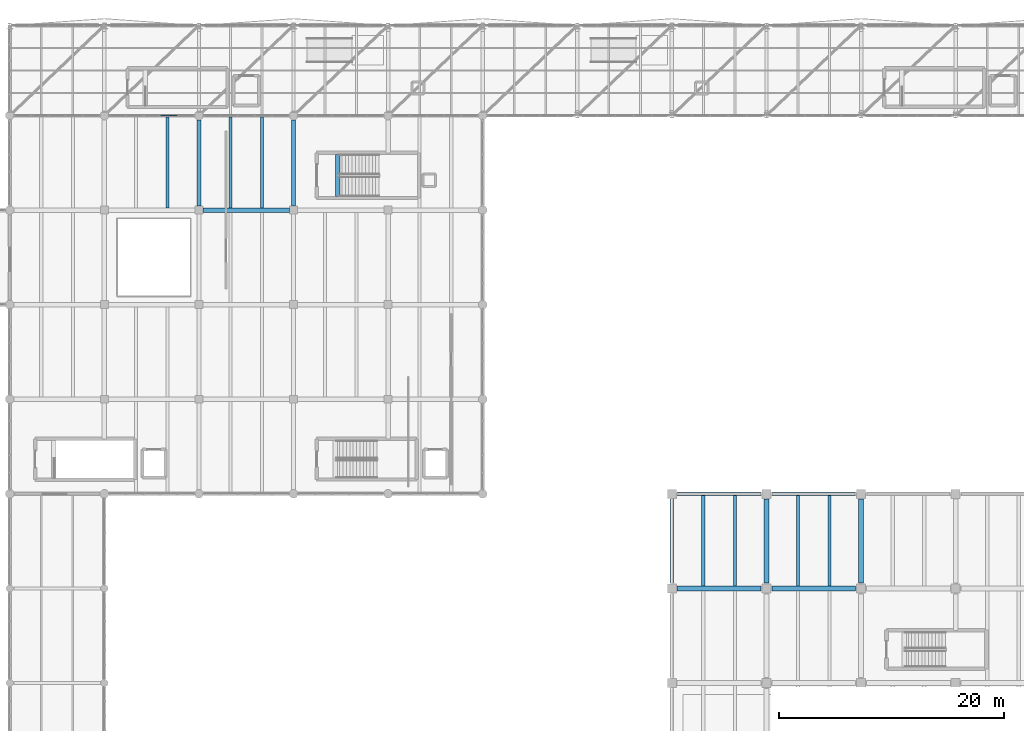
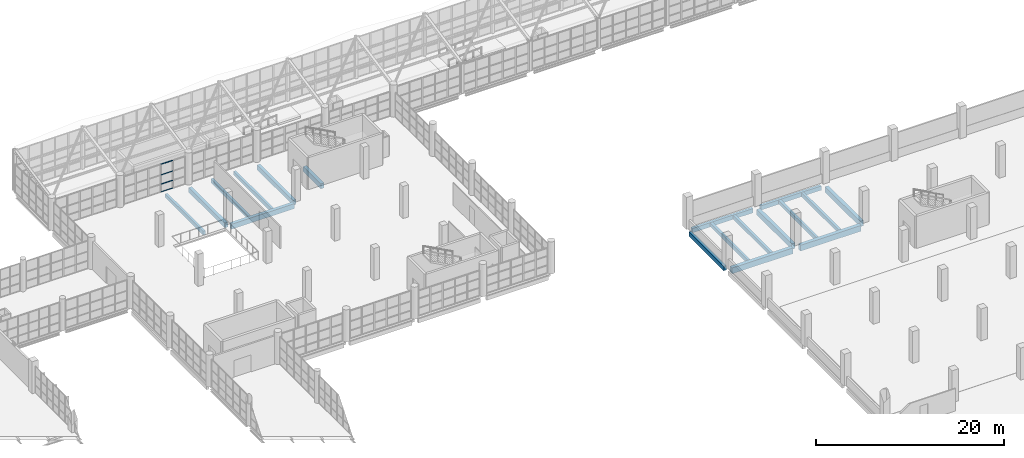
# One storey, part 92 of 177: 18 beams, 4 members, 1 element without a shape of its own.
"""IFC4 building model written with IfcOpenShell, lengths in metres."""

from ifc_helpers import new_model, si_unit, direction, frame, origin, origin_2d, place, context, subcontext, project, spatial, rectangle, hollow_rectangle, extrude, material, layer, layer_set, material_profile, profile_set, type_object, element, aggregate, save


model = new_model("IFC4")

# Units and contexts
model_context = context("Model", 3, precision=1e-05, world=origin(), true_north=direction((0.0, 1.0)))
body_context = subcontext(model_context, "Body", "Model", "MODEL_VIEW")
ifc_project = project(units=[si_unit("LENGTHUNIT", "METRE"), si_unit("AREAUNIT", "SQUARE_METRE"), si_unit("VOLUMEUNIT", "CUBIC_METRE"), si_unit("PLANEANGLEUNIT", "RADIAN"), si_unit("MASSUNIT", "GRAM", prefix="KILO"), si_unit("THERMODYNAMICTEMPERATUREUNIT", "KELVIN"), si_unit("POWERUNIT", "WATT")], contexts=[model_context])

# Site, building, storey
site_placement = place(None, origin())
site = spatial("IfcSite", under=ifc_project, at=site_placement, CompositionType="ELEMENT")
building_placement = place(site_placement, origin())
building = spatial("IfcBuilding", under=site, at=building_placement, Name="Mavoryth Pier Ferry Terminal", CompositionType="ELEMENT")
storey_placement = place(building_placement, frame((0.0, 0.0, 5.43994140625)))
storey = spatial("IfcBuildingStorey", under=building, at=storey_placement, Name="L01", CompositionType="ELEMENT", Elevation=5.43994140625)

# Beams
ifc_material_1 = material(Name="Concrete C35/45", Category="concrete")
ifc_material_profile_1 = material_profile(ifc_material_1, rectangle(XDim=0.3798828125, YDim=0.6201171875, at=origin_2d()), Name="RC 380x620", Category="concrete")
ifc_profile_set_1 = profile_set([ifc_material_profile_1], Name="Concrete C35/45 - RC 380x620")
beam_type_1 = type_object("IfcBeamType", Name="Girder-RC-380x620", PredefinedType="BEAM", material=ifc_profile_set_1)
for number, where, z_axis, x_axis, name in (
    (1, (67.199951171875, 97.949951171875, -0.58984375), (0.0, 1.0, 0.0), (-1.0, 0.0, 0.0), "Beam B01-BG06-0214"),
    (2, (75.60009765625, 97.949951171875, -0.58984375), (0.0, 1.0, 0.0), (-1.0, 0.0, 0.0), "Beam B01-BG06-0218"),
):
    element("IfcBeam", number, at=place(storey_placement, frame(where, z_axis=z_axis, x_axis=x_axis)), inside=storey, type_object=beam_type_1, Name=name, PredefinedType="BEAM", context=body_context, shape_type="SweptSolid", body=[
        extrude(rectangle(XDim=0.3798828125, YDim=0.6201171875, at=origin_2d()), origin(), (0.0, 0.0, 1.0), 7.66015625),
    ])
ifc_material_profile_2 = material_profile(ifc_material_1, rectangle(XDim=0.39990234375, YDim=0.64990234375, at=origin_2d()), Name="RC 400x650", Category="concrete")
ifc_profile_set_2 = profile_set([ifc_material_profile_2], Name="Concrete C35/45 - RC 400x650")
beam_type_2 = type_object("IfcBeamType", Name="Girder-RC-400x650", PredefinedType="BEAM", material=ifc_profile_set_2)
beam_1_placement = place(storey_placement, frame((67.550048828125, 97.60009765625, -0.60498046875), z_axis=(1.0, 0.0, 0.0), x_axis=(0.0, 1.0, 0.0)))
element("IfcBeam", 3, at=beam_1_placement, inside=storey, type_object=beam_type_2, Name="Beam B01-BG05-0196", PredefinedType="BEAM", context=body_context, shape_type="SweptSolid", body=[
    extrude(rectangle(XDim=0.39990234375, YDim=0.64990234375, at=origin_2d()), origin(), (0.0, 0.0, 1.0), 7.699951171875),
])
beam_2_placement = place(storey_placement, frame((79.52001953125, 98.800048828125, -0.324951171875), z_axis=(0.0, 1.0, 0.0), x_axis=(-1.0, 0.0, 0.0)))
element("IfcBeam", 4, at=beam_2_placement, inside=storey, type_object=beam_type_2, Name="Beam B01-BG05-1594", PredefinedType="BEAM", context=body_context, shape_type="SweptSolid", body=[
    extrude(rectangle(XDim=0.39990234375, YDim=0.64990234375, at=origin_2d()), origin(), (0.0, 0.0, 1.0), 3.75),
])
ifc_material_profile_3 = material_profile(ifc_material_1, rectangle(XDim=0.419921875, YDim=0.719970703125, at=origin_2d()), Name="RC 420x720", Category="concrete")
ifc_profile_set_3 = profile_set([ifc_material_profile_3], Name="Concrete C35/45 - RC 420x720")
beam_type_3 = type_object("IfcBeamType", Name="Girder-RC-420x720", PredefinedType="BEAM", material=ifc_profile_set_3)
for number, where, z_axis, x_axis, name in (
    (5, (117.60009765625, 64.47509765625, -0.679931640625), (0.0, 1.0, 0.0), (-1.0, 0.0, 0.0), "Beam B01-BG03-0383"),
    (6, (126.0, 64.47509765625, -0.679931640625), (0.0, 1.0, 0.0), (-1.0, 0.0, 0.0), "Beam B01-BG03-0390"),
):
    element("IfcBeam", number, at=place(storey_placement, frame(where, z_axis=z_axis, x_axis=x_axis)), inside=storey, type_object=beam_type_3, Name=name, PredefinedType="BEAM", context=body_context, shape_type="SweptSolid", body=[
        extrude(rectangle(XDim=0.419921875, YDim=0.719970703125, at=origin_2d()), origin(), (0.0, 0.0, 1.0), 7.449951171875),
    ])
ifc_material_profile_4 = material_profile(ifc_material_1, rectangle(XDim=0.449951171875, YDim=0.75, at=origin_2d()), Name="RC 450x750", Category="concrete")
ifc_profile_set_4 = profile_set([ifc_material_profile_4], Name="Concrete C35/45 - RC 450x750")
beam_type_4 = type_object("IfcBeamType", Name="Girder-RC-450x750", PredefinedType="BEAM", material=ifc_profile_set_4)
for number, where, z_axis, x_axis, name in (
    (7, (109.675048828125, 64.0, -0.69482421875), (1.0, 0.0, 0.0), (0.0, 1.0, 0.0), "Beam B01-BG02-0356"),
    (8, (118.074951171875, 64.0, -0.69482421875), (1.0, 0.0, 0.0), (0.0, 1.0, 0.0), "Beam B01-BG02-0357"),
):
    element("IfcBeam", number, at=place(storey_placement, frame(where, z_axis=z_axis, x_axis=x_axis)), inside=storey, type_object=beam_type_4, Name=name, PredefinedType="BEAM", context=body_context, shape_type="SweptSolid", body=[
        extrude(rectangle(XDim=0.449951171875, YDim=0.75, at=origin_2d()), origin(), (0.0, 0.0, 1.0), 7.449951171875),
    ])
ifc_material_profile_5 = material_profile(ifc_material_1, rectangle(XDim=0.280029296875, YDim=0.47998046875, at=origin_2d()), Name="RC 280x480", Category="concrete")
ifc_profile_set_5 = profile_set([ifc_material_profile_5], Name="Concrete C35/45 - RC 280x480")
beam_type_5 = type_object("IfcBeamType", Name="Joist-RC-280x480", PredefinedType="JOIST", material=ifc_profile_set_5)
for number, where, z_axis, x_axis, name in (
    (9, (64.39990234375, 97.800048828125, -0.52001953125), (0.0, 1.0, 0.0), (-1.0, 0.0, 0.0), "Beam B01-BJ02-0238"),
    (10, (70.0, 97.800048828125, -0.52001953125), (0.0, 1.0, 0.0), (-1.0, 0.0, 0.0), "Beam B01-BJ02-0245"),
    (11, (72.800048828125, 97.800048828125, -0.52001953125), (0.0, 1.0, 0.0), (-1.0, 0.0, 0.0), "Beam B01-BJ02-0246"),
):
    element("IfcBeam", number, at=place(storey_placement, frame(where, z_axis=z_axis, x_axis=x_axis)), inside=storey, type_object=beam_type_5, Name=name, PredefinedType="JOIST", context=body_context, shape_type="SweptSolid", body=[
        extrude(rectangle(XDim=0.280029296875, YDim=0.47998046875, at=origin_2d()), origin(), (0.0, 0.0, 1.0), 8.050048828125),
    ])
ifc_material_profile_6 = material_profile(ifc_material_1, rectangle(XDim=0.300048828125, YDim=0.5, at=origin_2d()), Name="RC 300x500", Category="concrete")
ifc_profile_set_6 = profile_set([ifc_material_profile_6], Name="Concrete C35/45 - RC 300x500")
beam_type_6 = type_object("IfcBeamType", Name="Joist-RC-300x500", PredefinedType="JOIST", material=ifc_profile_set_6)
for number, where, z_axis, x_axis, name in (
    (12, (112.0, 64.22509765625, -0.56982421875), (0.0, 1.0, 0.0), (-1.0, 0.0, 0.0), "Beam B01-BJ01-0438"),
    (13, (114.800048828125, 64.22509765625, -0.56982421875), (0.0, 1.0, 0.0), (-1.0, 0.0, 0.0), "Beam B01-BJ01-0439"),
    (14, (120.39990234375, 64.22509765625, -0.56982421875), (0.0, 1.0, 0.0), (-1.0, 0.0, 0.0), "Beam B01-BJ01-0450"),
    (15, (123.199951171875, 64.22509765625, -0.56982421875), (0.0, 1.0, 0.0), (-1.0, 0.0, 0.0), "Beam B01-BJ01-0451"),
):
    element("IfcBeam", number, at=place(storey_placement, frame(where, z_axis=z_axis, x_axis=x_axis)), inside=storey, type_object=beam_type_6, Name=name, PredefinedType="JOIST", context=body_context, shape_type="SweptSolid", body=[
        extrude(rectangle(XDim=0.300048828125, YDim=0.5, at=origin_2d()), origin(), (0.0, 0.0, 1.0), 8.014892578125),
    ])
ifc_material_profile_7 = material_profile(ifc_material_1, rectangle(XDim=0.320068359375, YDim=0.56005859375, at=origin_2d()), Name="RC 320x560", Category="concrete")
ifc_profile_set_7 = profile_set([ifc_material_profile_7], Name="Concrete C35/45 - RC 320x560")
beam_type_7 = type_object("IfcBeamType", Name="Spandrel-RC-320x560", PredefinedType="SPANDREL", material=ifc_profile_set_7)
for number, where, z_axis, x_axis, name in (
    (16, (109.675048828125, 72.39990234375, -0.599853515625), (1.0, 0.0, 0.0), (0.0, 1.0, 0.0), "Beam B01-SP01-0363"),
    (17, (118.074951171875, 72.39990234375, -0.599853515625), (1.0, 0.0, 0.0), (0.0, 1.0, 0.0), "Beam B01-SP01-0364"),
    (18, (109.199951171875, 64.47509765625, -0.599853515625), (0.0, 1.0, 0.0), (-1.0, 0.0, 0.0), "Beam B01-SP01-0376"),
):
    element("IfcBeam", number, at=place(storey_placement, frame(where, z_axis=z_axis, x_axis=x_axis)), inside=storey, type_object=beam_type_7, Name=name, PredefinedType="SPANDREL", context=body_context, shape_type="SweptSolid", body=[
        extrude(rectangle(XDim=0.320068359375, YDim=0.56005859375, at=origin_2d()), origin(), (0.0, 0.0, 1.0), 7.449951171875),
    ])

# Curtain wall, members
ifc_material_2 = material(Name="Anodised Aluminium and Solar-Control Low-E Glass", Category="aluminium")
ifc_layer = layer(ifc_material_2, 0.159912109375, Name="Anodised Aluminium and Solar-Control Low-E Glass", Category="aluminium")
ifc_layer_set = layer_set([ifc_layer], Name="Anodised Aluminium and Solar-Control Low-E Glass - CW-Arrivals-Mod1400")
curtain_wall_type = type_object("IfcCurtainWallType", Name="CW-Arrivals-Mod1400", PredefinedType="USERDEFINED", material=ifc_layer_set)
curtain_wall_placement = place(storey_placement, origin())
curtain_wall = element("IfcCurtainWall", 19, at=curtain_wall_placement, inside=storey, type_object=curtain_wall_type, Name="Curtain Wall CW-0122-052", ObjectType="UNITISED CURTAIN WALL", PredefinedType="USERDEFINED")
ifc_material_3 = material(Name="Anodised Aluminium EN AW-6063", Category="aluminium")
ifc_material_profile_8 = material_profile(ifc_material_3, hollow_rectangle(XDim=0.06005859375, YDim=0.125, WallThickness=0.00390625, InnerFilletRadius=0.00390625, OuterFilletRadius=0.008056640625, at=origin_2d()), Name="AL-TRAN 125x60x4", Category="aluminium")
ifc_profile_set_8 = profile_set([ifc_material_profile_8], Name="Anodised Aluminium EN AW-6063 - AL-TRAN 125x60x4")
member_type = type_object("IfcMemberType", Name="Transom-Alum-125x60", PredefinedType="USERDEFINED", material=ifc_profile_set_8)
member_1_placement = place(storey_placement, frame((65.256103515625, 106.0, 0.030029296875), z_axis=(-1.0, 0.0, 0.0), x_axis=(0.0, -1.0, 0.0)))
member_1 = element("IfcMember", 20, at=member_1_placement, type_object=member_type, Name="CW04 transom 2.1", ObjectType="TRANSOM", PredefinedType="USERDEFINED", context=body_context, shape_type="SweptSolid", body=[
    extrude(hollow_rectangle(XDim=0.06005859375, YDim=0.125, WallThickness=0.00390625, InnerFilletRadius=0.00390625, OuterFilletRadius=0.008056640625, at=origin_2d()), origin(), (0.0, 0.0, 1.0), 1.464111328125),
])
member_2_placement = place(storey_placement, frame((65.256103515625, 106.0, 1.050048828125), z_axis=(-1.0, 0.0, 0.0), x_axis=(0.0, -1.0, 0.0)))
member_2 = element("IfcMember", 21, at=member_2_placement, type_object=member_type, Name="CW04 transom 2.2", ObjectType="TRANSOM", PredefinedType="USERDEFINED", context=body_context, shape_type="SweptSolid", body=[
    extrude(hollow_rectangle(XDim=0.06005859375, YDim=0.125, WallThickness=0.00390625, InnerFilletRadius=0.00390625, OuterFilletRadius=0.008056640625, at=origin_2d()), origin(), (0.0, 0.0, 1.0), 1.464111328125),
])
member_3_placement = place(storey_placement, frame((65.256103515625, 106.0, 2.25), z_axis=(-1.0, 0.0, 0.0), x_axis=(0.0, -1.0, 0.0)))
member_3 = element("IfcMember", 22, at=member_3_placement, type_object=member_type, Name="CW04 transom 2.3", ObjectType="TRANSOM", PredefinedType="USERDEFINED", context=body_context, shape_type="SweptSolid", body=[
    extrude(hollow_rectangle(XDim=0.06005859375, YDim=0.125, WallThickness=0.00390625, InnerFilletRadius=0.00390625, OuterFilletRadius=0.008056640625, at=origin_2d()), origin(), (0.0, 0.0, 1.0), 1.464111328125),
])
member_4_placement = place(storey_placement, frame((65.256103515625, 106.0, 3.630126953125), z_axis=(-1.0, 0.0, 0.0), x_axis=(0.0, -1.0, 0.0)))
member_4 = element("IfcMember", 23, at=member_4_placement, type_object=member_type, Name="CW04 transom 2.4", ObjectType="TRANSOM", PredefinedType="USERDEFINED", context=body_context, shape_type="SweptSolid", body=[
    extrude(hollow_rectangle(XDim=0.06005859375, YDim=0.125, WallThickness=0.00390625, InnerFilletRadius=0.00390625, OuterFilletRadius=0.008056640625, at=origin_2d()), origin(), (0.0, 0.0, 1.0), 1.464111328125),
])
aggregate(curtain_wall, [member_1, member_2, member_3, member_4])

save(model, "model.ifc")
